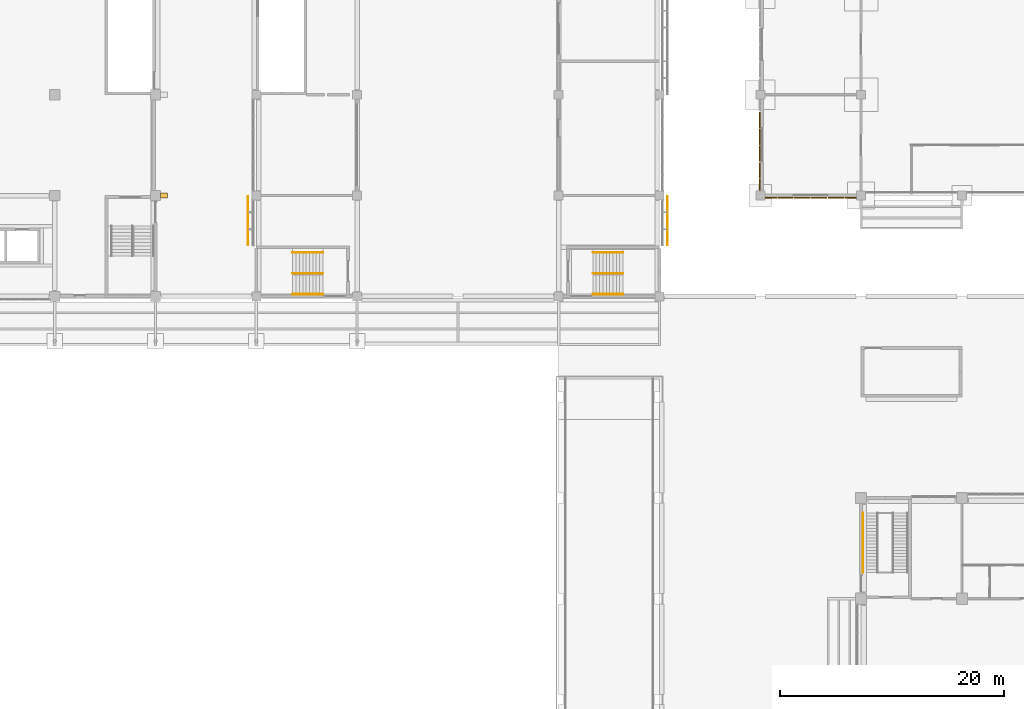
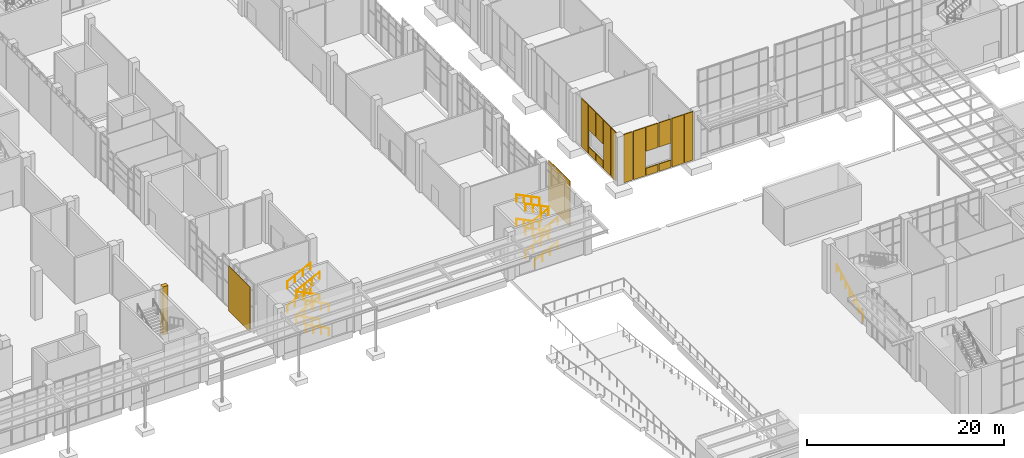
# One storey, part 78 of 86: 18 coverings, 17 railings.
"""IFC4 building model written with IfcOpenShell, lengths in metres."""

from ifc_helpers import new_model, si_unit, direction, frame, origin, origin_2d, place, context, subcontext, project, spatial, rectangle, circle, extrude, material, layer, layer_set, type_object, element, save


model = new_model("IFC4")

# Units and contexts
model_context = context("Model", 3, precision=1e-05, world=origin(), true_north=direction((0.0, 1.0)))
body_context = subcontext(model_context, "Body", "Model", "MODEL_VIEW")
ifc_project = project(units=[si_unit("LENGTHUNIT", "METRE"), si_unit("AREAUNIT", "SQUARE_METRE"), si_unit("VOLUMEUNIT", "CUBIC_METRE"), si_unit("PLANEANGLEUNIT", "RADIAN"), si_unit("MASSUNIT", "GRAM", prefix="KILO")], contexts=[model_context])

# Site, building, storey
site_placement = place(None, origin())
site = spatial("IfcSite", under=ifc_project, at=site_placement, CompositionType="ELEMENT")
building_placement = place(site_placement, origin())
building = spatial("IfcBuilding", under=site, at=building_placement, Name="Guidao Yard Department Store", CompositionType="ELEMENT")
storey_placement = place(building_placement, origin())
storey = spatial("IfcBuildingStorey", under=building, at=storey_placement, Name="L00", CompositionType="ELEMENT", Elevation=0.0)

# Coverings
ifc_material_1 = material(Name="Clinker brick", Category="masonry")
ifc_layer_1 = layer(ifc_material_1, 0.10009765625)
ifc_layer_set_1 = layer_set([ifc_layer_1], Name="Clinker brick panel BR1 on rainscreen")
covering_type_1 = type_object("IfcCoveringType", Name="Clinker brick panel BR1 on rainscreen", PredefinedType="CLADDING", material=ifc_layer_set_1)
covering_1_placement = place(storey_placement, frame((117.949951171875, 53.800048828125, 0.0), z_axis=(0.0, 0.0, 1.0), x_axis=(-1.0, 0.0, 0.0)))
element("IfcCovering", 1, at=covering_1_placement, inside=storey, type_object=covering_type_1, Name="Clinker brick panel", PredefinedType="CLADDING", context=body_context, shape_type="SweptSolid", body=[
    extrude(rectangle(XDim=1.0, YDim=0.10009765625, at=origin_2d()), origin(), (0.0, 0.0, 1.0), 6.0),
])
covering_2_placement = place(storey_placement, frame((119.25, 53.800048828125, 0.0), z_axis=(0.0, 0.0, 1.0), x_axis=(-1.0, 0.0, 0.0)))
element("IfcCovering", 2, at=covering_2_placement, inside=storey, type_object=covering_type_1, Name="Clinker brick panel", PredefinedType="CLADDING", context=body_context, shape_type="SweptSolid", body=[
    extrude(rectangle(XDim=1.39990234375, YDim=0.10009765625, at=origin_2d()), origin(), (0.0, 0.0, 1.0), 6.0),
])
covering_3_placement = place(storey_placement, frame((120.75, 53.800048828125, 0.0), z_axis=(0.0, 0.0, 1.0), x_axis=(-1.0, 0.0, 0.0)))
element("IfcCovering", 3, at=covering_3_placement, inside=storey, type_object=covering_type_1, Name="Clinker brick panel", PredefinedType="CLADDING", context=body_context, shape_type="SweptSolid", body=[
    extrude(rectangle(XDim=1.39990234375, YDim=0.10009765625, at=origin_2d()), origin(), (0.0, 0.0, 1.0), 0.89990234375),
])
covering_4_placement = place(storey_placement, frame((120.75, 53.800048828125, 3.0), z_axis=(0.0, 0.0, 1.0), x_axis=(-1.0, 0.0, 0.0)))
element("IfcCovering", 4, at=covering_4_placement, inside=storey, type_object=covering_type_1, Name="Clinker brick panel", PredefinedType="CLADDING", context=body_context, shape_type="SweptSolid", body=[
    extrude(rectangle(XDim=1.39990234375, YDim=0.10009765625, at=origin_2d()), origin(), (0.0, 0.0, 1.0), 3.0),
])
covering_5_placement = place(storey_placement, frame((122.25, 53.800048828125, 0.0), z_axis=(0.0, 0.0, 1.0), x_axis=(-1.0, 0.0, 0.0)))
element("IfcCovering", 5, at=covering_5_placement, inside=storey, type_object=covering_type_1, Name="Clinker brick panel", PredefinedType="CLADDING", context=body_context, shape_type="SweptSolid", body=[
    extrude(rectangle(XDim=1.39990234375, YDim=0.10009765625, at=origin_2d()), origin(), (0.0, 0.0, 1.0), 0.89990234375),
])
covering_6_placement = place(storey_placement, frame((122.25, 53.800048828125, 3.0), z_axis=(0.0, 0.0, 1.0), x_axis=(-1.0, 0.0, 0.0)))
element("IfcCovering", 6, at=covering_6_placement, inside=storey, type_object=covering_type_1, Name="Clinker brick panel", PredefinedType="CLADDING", context=body_context, shape_type="SweptSolid", body=[
    extrude(rectangle(XDim=1.39990234375, YDim=0.10009765625, at=origin_2d()), origin(), (0.0, 0.0, 1.0), 3.0),
])
covering_7_placement = place(storey_placement, frame((123.75, 53.800048828125, 0.0), z_axis=(0.0, 0.0, 1.0), x_axis=(-1.0, 0.0, 0.0)))
element("IfcCovering", 7, at=covering_7_placement, inside=storey, type_object=covering_type_1, Name="Clinker brick panel", PredefinedType="CLADDING", context=body_context, shape_type="SweptSolid", body=[
    extrude(rectangle(XDim=1.39990234375, YDim=0.10009765625, at=origin_2d()), origin(), (0.0, 0.0, 1.0), 6.0),
])
for number, where, z_axis, x_axis, name in (
    (8, (125.050048828125, 53.800048828125, 0.0), (0.0, 0.0, 1.0), (-1.0, 0.0, 0.0), "Clinker brick panel"),
    (9, (116.949951171875, 54.949951171875, 0.0), (0.0, 0.0, 1.0), (0.0, 1.0, 0.0), "Clinker brick panel"),
):
    element("IfcCovering", number, at=place(storey_placement, frame(where, z_axis=z_axis, x_axis=x_axis)), inside=storey, type_object=covering_type_1, Name=name, PredefinedType="CLADDING", context=body_context, shape_type="SweptSolid", body=[
        extrude(rectangle(XDim=1.0, YDim=0.10009765625, at=origin_2d()), origin(), (0.0, 0.0, 1.0), 6.0),
    ])
covering_8_placement = place(storey_placement, frame((116.949951171875, 56.25, 0.0), z_axis=(0.0, 0.0, 1.0), x_axis=(0.0, 1.0, 0.0)))
element("IfcCovering", 10, at=covering_8_placement, inside=storey, type_object=covering_type_1, Name="Clinker brick panel", PredefinedType="CLADDING", context=body_context, shape_type="SweptSolid", body=[
    extrude(rectangle(XDim=1.39990234375, YDim=0.10009765625, at=origin_2d()), origin(), (0.0, 0.0, 1.0), 6.0),
])
covering_9_placement = place(storey_placement, frame((116.949951171875, 57.75, 0.0), z_axis=(0.0, 0.0, 1.0), x_axis=(0.0, 1.0, 0.0)))
element("IfcCovering", 11, at=covering_9_placement, inside=storey, type_object=covering_type_1, Name="Clinker brick panel", PredefinedType="CLADDING", context=body_context, shape_type="SweptSolid", body=[
    extrude(rectangle(XDim=1.39990234375, YDim=0.10009765625, at=origin_2d()), origin(), (0.0, 0.0, 1.0), 0.89990234375),
])
covering_10_placement = place(storey_placement, frame((116.949951171875, 57.75, 3.0), z_axis=(0.0, 0.0, 1.0), x_axis=(0.0, 1.0, 0.0)))
element("IfcCovering", 12, at=covering_10_placement, inside=storey, type_object=covering_type_1, Name="Clinker brick panel", PredefinedType="CLADDING", context=body_context, shape_type="SweptSolid", body=[
    extrude(rectangle(XDim=1.39990234375, YDim=0.10009765625, at=origin_2d()), origin(), (0.0, 0.0, 1.0), 3.0),
])
covering_11_placement = place(storey_placement, frame((116.949951171875, 59.25, 0.0), z_axis=(0.0, 0.0, 1.0), x_axis=(0.0, 1.0, 0.0)))
element("IfcCovering", 13, at=covering_11_placement, inside=storey, type_object=covering_type_1, Name="Clinker brick panel", PredefinedType="CLADDING", context=body_context, shape_type="SweptSolid", body=[
    extrude(rectangle(XDim=1.39990234375, YDim=0.10009765625, at=origin_2d()), origin(), (0.0, 0.0, 1.0), 0.89990234375),
])
covering_12_placement = place(storey_placement, frame((116.949951171875, 59.25, 3.0), z_axis=(0.0, 0.0, 1.0), x_axis=(0.0, 1.0, 0.0)))
element("IfcCovering", 14, at=covering_12_placement, inside=storey, type_object=covering_type_1, Name="Clinker brick panel", PredefinedType="CLADDING", context=body_context, shape_type="SweptSolid", body=[
    extrude(rectangle(XDim=1.39990234375, YDim=0.10009765625, at=origin_2d()), origin(), (0.0, 0.0, 1.0), 3.0),
])
covering_13_placement = place(storey_placement, frame((116.949951171875, 60.75, 0.0), z_axis=(0.0, 0.0, 1.0), x_axis=(0.0, 1.0, 0.0)))
element("IfcCovering", 15, at=covering_13_placement, inside=storey, type_object=covering_type_1, Name="Clinker brick panel", PredefinedType="CLADDING", context=body_context, shape_type="SweptSolid", body=[
    extrude(rectangle(XDim=1.39990234375, YDim=0.10009765625, at=origin_2d()), origin(), (0.0, 0.0, 1.0), 6.0),
])

# Railings
ifc_material_2 = material(Name="Steel Q235", Category="steel")
railing_type = type_object("IfcRailingType", Name="Handrail steel tube 48", PredefinedType="HANDRAIL", material=ifc_material_2)
for number, where, name in (
    (16, (77.949951171875, 45.18505859375, 0.14990234375), "Stair G1 hand rail L00 81"),
    (17, (77.949951171875, 47.050048828125, 0.14990234375), "Stair G1 hand rail L00 82"),
):
    element("IfcRailing", number, at=place(storey_placement, frame(where)), inside=storey, type_object=railing_type, Name=name, PredefinedType="HANDRAIL", context=body_context, shape_type="SweptSolid", body=[
        extrude(circle(Radius=0.02392578125, at=origin_2d()), frame((0.0, 0.0, 0.8759765625), z_axis=(-0.894411015155, 0.0, 0.447245945728), x_axis=(0.0, -1.0, 0.0)), (0.0, 0.0, 1.0), 3.018798828125),
        extrude(circle(Radius=0.02099609375, at=origin_2d()), origin(), (0.0, 0.0, 1.0), 0.851806640625),
        extrude(circle(Radius=0.02099609375, at=origin_2d()), frame((-0.89990234375, 0.0, 0.449951171875)), (0.0, 0.0, 1.0), 0.851806640625),
        extrude(circle(Radius=0.02099609375, at=origin_2d()), frame((-1.800048828125, 0.0, 0.900146484375)), (0.0, 0.0, 1.0), 0.851806640625),
        extrude(circle(Radius=0.02099609375, at=origin_2d()), frame((-2.699951171875, 0.0, 1.35009765625)), (0.0, 0.0, 1.0), 0.851806640625),
    ])
for number, where, name in (
    (18, (75.25, 48.9150390625, 1.64990234375), "Stair G1 hand rail L00 83"),
    (19, (75.25, 47.050048828125, 1.64990234375), "Stair G1 hand rail L00 84"),
):
    element("IfcRailing", number, at=place(storey_placement, frame(where)), inside=storey, type_object=railing_type, Name=name, PredefinedType="HANDRAIL", context=body_context, shape_type="SweptSolid", body=[
        extrude(circle(Radius=0.02392578125, at=origin_2d()), frame((0.0, 0.0, 0.8759765625), z_axis=(0.894411015155, 0.0, 0.447245945728), x_axis=(0.0, 1.0, 0.0)), (0.0, 0.0, 1.0), 3.018798828125),
        extrude(circle(Radius=0.02099609375, at=origin_2d()), origin(), (0.0, 0.0, 1.0), 0.851806640625),
        extrude(circle(Radius=0.02099609375, at=origin_2d()), frame((0.89990234375, 0.0, 0.449951171875)), (0.0, 0.0, 1.0), 0.851806640625),
        extrude(circle(Radius=0.02099609375, at=origin_2d()), frame((1.800048828125, 0.0, 0.900146484375)), (0.0, 0.0, 1.0), 0.851806640625),
        extrude(circle(Radius=0.02099609375, at=origin_2d()), frame((2.699951171875, 0.0, 1.35009765625)), (0.0, 0.0, 1.0), 0.851806640625),
    ])
for number, where, name in (
    (20, (77.949951171875, 45.18505859375, 3.14990234375), "Stair G1 hand rail L00 85"),
    (21, (77.949951171875, 47.050048828125, 3.14990234375), "Stair G1 hand rail L00 86"),
):
    element("IfcRailing", number, at=place(storey_placement, frame(where)), inside=storey, type_object=railing_type, Name=name, PredefinedType="HANDRAIL", context=body_context, shape_type="SweptSolid", body=[
        extrude(circle(Radius=0.02392578125, at=origin_2d()), frame((0.0, 0.0, 0.8759765625), z_axis=(-0.894411015155, 0.0, 0.447245945728), x_axis=(0.0, -1.0, 0.0)), (0.0, 0.0, 1.0), 3.018798828125),
        extrude(circle(Radius=0.02099609375, at=origin_2d()), origin(), (0.0, 0.0, 1.0), 0.851806640625),
        extrude(circle(Radius=0.02099609375, at=origin_2d()), frame((-0.89990234375, 0.0, 0.449951171875)), (0.0, 0.0, 1.0), 0.851806640625),
        extrude(circle(Radius=0.02099609375, at=origin_2d()), frame((-1.800048828125, 0.0, 0.900146484375)), (0.0, 0.0, 1.0), 0.851806640625),
        extrude(circle(Radius=0.02099609375, at=origin_2d()), frame((-2.699951171875, 0.0, 1.35009765625)), (0.0, 0.0, 1.0), 0.851806640625),
    ])
for number, where, name in (
    (22, (75.25, 48.9150390625, 4.64990234375), "Stair G1 hand rail L00 87"),
    (23, (75.25, 47.050048828125, 4.64990234375), "Stair G1 hand rail L00 88"),
    (24, (102.050048828125, 45.18505859375, 0.14990234375), "Stair G3 hand rail L00 97"),
    (25, (102.050048828125, 47.050048828125, 0.14990234375), "Stair G3 hand rail L00 98"),
):
    element("IfcRailing", number, at=place(storey_placement, frame(where)), inside=storey, type_object=railing_type, Name=name, PredefinedType="HANDRAIL", context=body_context, shape_type="SweptSolid", body=[
        extrude(circle(Radius=0.02392578125, at=origin_2d()), frame((0.0, 0.0, 0.8759765625), z_axis=(0.894411015155, 0.0, 0.447245945728), x_axis=(0.0, 1.0, 0.0)), (0.0, 0.0, 1.0), 3.018798828125),
        extrude(circle(Radius=0.02099609375, at=origin_2d()), origin(), (0.0, 0.0, 1.0), 0.851806640625),
        extrude(circle(Radius=0.02099609375, at=origin_2d()), frame((0.89990234375, 0.0, 0.449951171875)), (0.0, 0.0, 1.0), 0.851806640625),
        extrude(circle(Radius=0.02099609375, at=origin_2d()), frame((1.800048828125, 0.0, 0.900146484375)), (0.0, 0.0, 1.0), 0.851806640625),
        extrude(circle(Radius=0.02099609375, at=origin_2d()), frame((2.699951171875, 0.0, 1.35009765625)), (0.0, 0.0, 1.0), 0.851806640625),
    ])
for number, where, name in (
    (26, (104.75, 48.9150390625, 1.64990234375), "Stair G3 hand rail L00 99"),
    (27, (104.75, 47.050048828125, 1.64990234375), "Stair G3 hand rail L00 100"),
):
    element("IfcRailing", number, at=place(storey_placement, frame(where)), inside=storey, type_object=railing_type, Name=name, PredefinedType="HANDRAIL", context=body_context, shape_type="SweptSolid", body=[
        extrude(circle(Radius=0.02392578125, at=origin_2d()), frame((0.0, 0.0, 0.8759765625), z_axis=(-0.894411015155, 0.0, 0.447245945728), x_axis=(0.0, -1.0, 0.0)), (0.0, 0.0, 1.0), 3.018798828125),
        extrude(circle(Radius=0.02099609375, at=origin_2d()), origin(), (0.0, 0.0, 1.0), 0.851806640625),
        extrude(circle(Radius=0.02099609375, at=origin_2d()), frame((-0.89990234375, 0.0, 0.449951171875)), (0.0, 0.0, 1.0), 0.851806640625),
        extrude(circle(Radius=0.02099609375, at=origin_2d()), frame((-1.800048828125, 0.0, 0.900146484375)), (0.0, 0.0, 1.0), 0.851806640625),
        extrude(circle(Radius=0.02099609375, at=origin_2d()), frame((-2.699951171875, 0.0, 1.35009765625)), (0.0, 0.0, 1.0), 0.851806640625),
    ])
for number, where, name in (
    (28, (102.050048828125, 45.18505859375, 3.14990234375), "Stair G3 hand rail L00 101"),
    (29, (102.050048828125, 47.050048828125, 3.14990234375), "Stair G3 hand rail L00 102"),
):
    element("IfcRailing", number, at=place(storey_placement, frame(where)), inside=storey, type_object=railing_type, Name=name, PredefinedType="HANDRAIL", context=body_context, shape_type="SweptSolid", body=[
        extrude(circle(Radius=0.02392578125, at=origin_2d()), frame((0.0, 0.0, 0.8759765625), z_axis=(0.894411015155, 0.0, 0.447245945728), x_axis=(0.0, 1.0, 0.0)), (0.0, 0.0, 1.0), 3.018798828125),
        extrude(circle(Radius=0.02099609375, at=origin_2d()), origin(), (0.0, 0.0, 1.0), 0.851806640625),
        extrude(circle(Radius=0.02099609375, at=origin_2d()), frame((0.89990234375, 0.0, 0.449951171875)), (0.0, 0.0, 1.0), 0.851806640625),
        extrude(circle(Radius=0.02099609375, at=origin_2d()), frame((1.800048828125, 0.0, 0.900146484375)), (0.0, 0.0, 1.0), 0.851806640625),
        extrude(circle(Radius=0.02099609375, at=origin_2d()), frame((2.699951171875, 0.0, 1.35009765625)), (0.0, 0.0, 1.0), 0.851806640625),
    ])
for number, where, name in (
    (30, (104.75, 48.9150390625, 4.64990234375), "Stair G3 hand rail L00 103"),
    (31, (104.75, 47.050048828125, 4.64990234375), "Stair G3 hand rail L00 104"),
):
    element("IfcRailing", number, at=place(storey_placement, frame(where)), inside=storey, type_object=railing_type, Name=name, PredefinedType="HANDRAIL", context=body_context, shape_type="SweptSolid", body=[
        extrude(circle(Radius=0.02392578125, at=origin_2d()), frame((0.0, 0.0, 0.8759765625), z_axis=(-0.894411015155, 0.0, 0.447245945728), x_axis=(0.0, -1.0, 0.0)), (0.0, 0.0, 1.0), 3.018798828125),
        extrude(circle(Radius=0.02099609375, at=origin_2d()), origin(), (0.0, 0.0, 1.0), 0.851806640625),
        extrude(circle(Radius=0.02099609375, at=origin_2d()), frame((-0.89990234375, 0.0, 0.449951171875)), (0.0, 0.0, 1.0), 0.851806640625),
        extrude(circle(Radius=0.02099609375, at=origin_2d()), frame((-1.800048828125, 0.0, 0.900146484375)), (0.0, 0.0, 1.0), 0.851806640625),
        extrude(circle(Radius=0.02099609375, at=origin_2d()), frame((-2.699951171875, 0.0, 1.35009765625)), (0.0, 0.0, 1.0), 0.851806640625),
    ])
railing_placement = place(storey_placement, frame((126.18505859375, 20.35009765625, 0.14990234375)))
element("IfcRailing", 32, at=railing_placement, inside=storey, type_object=railing_type, Name="Stair O3 hand rail L00 121", PredefinedType="HANDRAIL", context=body_context, shape_type="SweptSolid", body=[
    extrude(circle(Radius=0.02392578125, at=origin_2d()), frame((0.0, 0.0, 0.8759765625), z_axis=(0.0, 0.881466739329, 0.472246108991), x_axis=(-1.0, 0.0, 0.0)), (0.0, 0.0, 1.0), 6.03515625),
    extrude(circle(Radius=0.02099609375, at=origin_2d()), origin(), (0.0, 0.0, 1.0), 0.851806640625),
    extrude(circle(Radius=0.02099609375, at=origin_2d()), frame((0.0, 0.88671875, 0.47509765625)), (0.0, 0.0, 1.0), 0.851806640625),
    extrude(circle(Radius=0.02099609375, at=origin_2d()), frame((0.0, 1.773193359375, 0.949951171875)), (0.0, 0.0, 1.0), 0.851806640625),
    extrude(circle(Radius=0.02099609375, at=origin_2d()), frame((0.0, 2.659912109375, 1.425048828125)), (0.0, 0.0, 1.0), 0.851806640625),
    extrude(circle(Radius=0.02099609375, at=origin_2d()), frame((0.0, 3.546630859375, 1.900146484375)), (0.0, 0.0, 1.0), 0.851806640625),
    extrude(circle(Radius=0.02099609375, at=origin_2d()), frame((0.0, 4.43310546875, 2.375)), (0.0, 0.0, 1.0), 0.851806640625),
    extrude(circle(Radius=0.02099609375, at=origin_2d()), frame((0.0, 5.31982421875, 2.85009765625)), (0.0, 0.0, 1.0), 0.851806640625),
])

# Coverings
ifc_material_3 = material(Name="Galvanised steel Q235 perforated plate", Category="steel")
ifc_layer_2 = layer(ifc_material_3, 0.0400390625)
ifc_layer_set_2 = layer_set([ifc_layer_2], Name="Perforated screen PS1 galvanised steel")
covering_type_2 = type_object("IfcCoveringType", Name="Perforated screen PS1 galvanised steel", PredefinedType="CLADDING", material=ifc_layer_set_2)
for number, where, z_axis, x_axis, name in (
    (33, (71.27001953125, 51.75, 0.199951171875), (0.0, 0.0, 1.0), (0.0, 1.0, 0.0), "Perforated screen"),
    (34, (108.72998046875, 51.75, 0.199951171875), (0.0, 0.0, 1.0), (0.0, -1.0, 0.0), "Perforated screen"),
):
    element("IfcCovering", number, at=place(storey_placement, frame(where, z_axis=z_axis, x_axis=x_axis)), inside=storey, type_object=covering_type_2, Name=name, PredefinedType="CLADDING", context=body_context, shape_type="SweptSolid", body=[
        extrude(rectangle(XDim=4.39990234375, YDim=0.0400390625, at=origin_2d()), origin(), (0.0, 0.0, 1.0), 5.60009765625),
    ])
ifc_material_4 = material(Name="Precast concrete C40/50", Category="concrete")
ifc_layer_3 = layer(ifc_material_4, 0.449951171875)
ifc_layer_set_3 = layer_set([ifc_layer_3], Name="Precast fin FN1 board-formed concrete")
covering_type_3 = type_object("IfcCoveringType", Name="Precast fin FN1 board-formed concrete", PredefinedType="CLADDING", material=ifc_layer_set_3)
covering_14_placement = place(storey_placement, frame((63.75, 54.0, 0.0), z_axis=(0.0, 0.0, 1.0), x_axis=(0.0, -1.0, 0.0)))
element("IfcCovering", 35, at=covering_14_placement, inside=storey, type_object=covering_type_3, Name="Precast fin", PredefinedType="CLADDING", context=body_context, shape_type="SweptSolid", body=[
    extrude(rectangle(XDim=0.449951171875, YDim=0.60009765625, at=origin_2d()), origin(), (0.0, 0.0, 1.0), 6.0),
])

save(model, "model.ifc")
